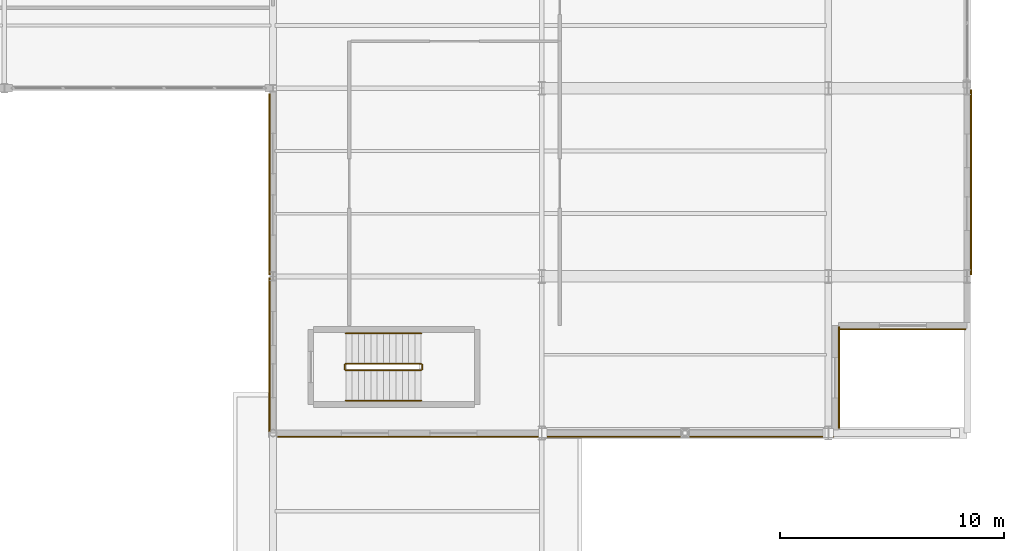
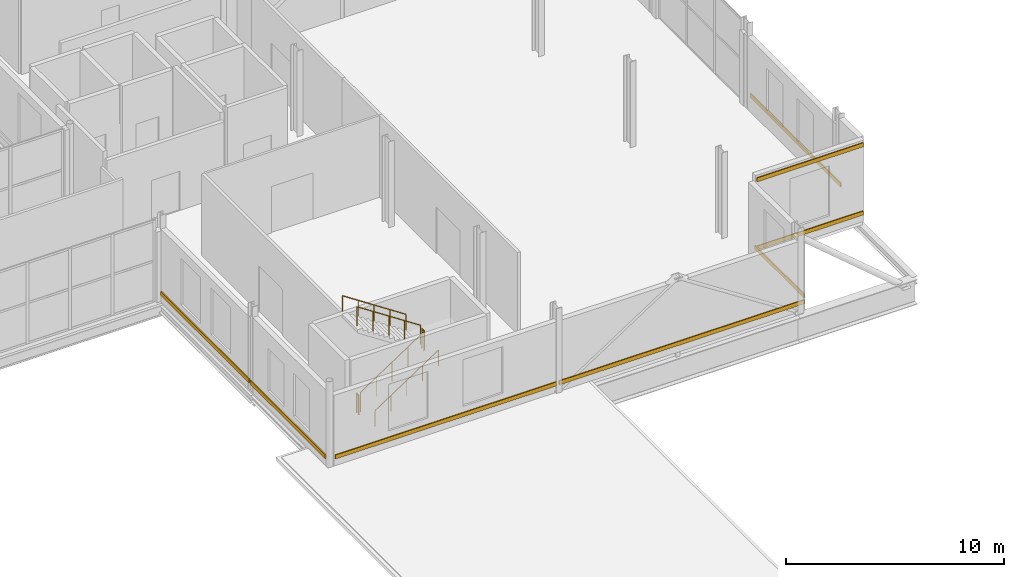
# One storey, part 117 of 120: 8 coverings, 6 railings.
"""IFC4 building model written with IfcOpenShell, lengths in metres."""

from ifc_helpers import new_model, si_unit, direction, frame, origin, origin_2d, place, context, subcontext, project, spatial, rectangle, circle, extrude, material, layer, layer_set, type_object, element, save


model = new_model("IFC4")

# Units and contexts
model_context = context("Model", 3, precision=1e-05, world=origin(), true_north=direction((0.0, 1.0)))
body_context = subcontext(model_context, "Body", "Model", "MODEL_VIEW")
ifc_project = project(units=[si_unit("LENGTHUNIT", "METRE"), si_unit("AREAUNIT", "SQUARE_METRE"), si_unit("VOLUMEUNIT", "CUBIC_METRE"), si_unit("PLANEANGLEUNIT", "RADIAN"), si_unit("MASSUNIT", "GRAM", prefix="KILO")], contexts=[model_context])

# Site, building, storey
site_placement = place(None, origin())
site = spatial("IfcSite", under=ifc_project, at=site_placement, CompositionType="ELEMENT")
building_placement = place(site_placement, origin())
building = spatial("IfcBuilding", under=site, at=building_placement, Name="Vekula Escarpment Museum", CompositionType="ELEMENT")
storey_placement = place(building_placement, frame((0.0, 0.0, 13.199951171875)))
storey = spatial("IfcBuildingStorey", under=building, at=storey_placement, Name="L03", CompositionType="ELEMENT", Elevation=13.199951171875)

# Coverings
ifc_material_1 = material(Name="Polychrome limestone almasik string-course band", Category="masonry")
ifc_layer = layer(ifc_material_1, 0.06005859375)
ifc_layer_set = layer_set([ifc_layer], Name="Polychrome limestone almasik string-course band")
covering_type = type_object("IfcCoveringType", Name="COV-ALM-BAND", PredefinedType="CLADDING", material=ifc_layer_set)
covering_1_placement = place(storey_placement, frame((166.833984375, 63.71044921875, 0.41015625), z_axis=(0.0, 0.0, 1.0), x_axis=(0.0, 1.0, 0.0)))
element("IfcCovering", 1, at=covering_1_placement, inside=storey, type_object=covering_type, Name="Almasik Stone String Course L03-0509", PredefinedType="CLADDING", context=body_context, shape_type="SweptSolid", body=[
    extrude(rectangle(XDim=8.10107421875, YDim=0.06005859375, at=origin_2d()), origin(), (0.0, 0.0, 1.0), 0.219970703125),
])
covering_2_placement = place(storey_placement, frame((166.833984375, 56.10009765625, 0.41015625), z_axis=(0.0, 0.0, 1.0), x_axis=(0.0, 1.0, 0.0)))
element("IfcCovering", 2, at=covering_2_placement, inside=storey, type_object=covering_type, Name="Almasik Stone String Course L03-0510", PredefinedType="CLADDING", context=body_context, shape_type="SweptSolid", body=[
    extrude(rectangle(XDim=6.8798828125, YDim=0.06005859375, at=origin_2d()), origin(), (0.0, 0.0, 1.0), 0.219970703125),
])
covering_3_placement = place(storey_placement, frame((173.072021484375, 52.43408203125, 0.41015625), z_axis=(0.0, 0.0, 1.0), x_axis=(1.0, 0.0, 0.0)))
element("IfcCovering", 3, at=covering_3_placement, inside=storey, type_object=covering_type, Name="Almasik Stone String Course L03-0511", PredefinedType="CLADDING", context=body_context, shape_type="SweptSolid", body=[
    extrude(rectangle(XDim=11.736083984375, YDim=0.06005859375, at=origin_2d()), origin(), (0.0, 0.0, 1.0), 0.219970703125),
])
covering_4_placement = place(storey_placement, frame((185.554931640625, 52.43408203125, 0.41015625), z_axis=(0.0, 0.0, 1.0), x_axis=(1.0, 0.0, 0.0)))
element("IfcCovering", 4, at=covering_4_placement, inside=storey, type_object=covering_type, Name="Almasik Stone String Course L03-0512", PredefinedType="CLADDING", context=body_context, shape_type="SweptSolid", body=[
    extrude(rectangle(XDim=12.989990234375, YDim=0.06005859375, at=origin_2d()), origin(), (0.0, 0.0, 1.0), 0.219970703125),
])
covering_5_placement = place(storey_placement, frame((192.27587890625, 55.072021484375, 0.41015625), z_axis=(0.0, 0.0, 1.0), x_axis=(0.0, 1.0, 0.0)))
element("IfcCovering", 5, at=covering_5_placement, inside=storey, type_object=covering_type, Name="Almasik Stone String Course L03-0513", PredefinedType="CLADDING", context=body_context, shape_type="SweptSolid", body=[
    extrude(rectangle(XDim=4.535888671875, YDim=0.06005859375, at=origin_2d()), origin(), (0.0, 0.0, 1.0), 0.219970703125),
])
for number, where, z_axis, x_axis, name in (
    (6, (195.126953125, 57.23388671875, 0.41015625), (0.0, 0.0, 1.0), (1.0, 0.0, 0.0), "Almasik Stone String Course L03-0514"),
    (7, (195.126953125, 57.23388671875, 4.22998046875), (0.0, 0.0, 1.0), (1.0, 0.0, 0.0), "Almasik Stone String Course L03-0515"),
):
    element("IfcCovering", number, at=place(storey_placement, frame(where, z_axis=z_axis, x_axis=x_axis)), inside=storey, type_object=covering_type, Name=name, PredefinedType="CLADDING", context=body_context, shape_type="SweptSolid", body=[
        extrude(rectangle(XDim=5.6259765625, YDim=0.06005859375, at=origin_2d()), origin(), (0.0, 0.0, 1.0), 0.219970703125),
    ])
covering_6_placement = place(storey_placement, frame((198.166015625, 63.800048828125, 0.41015625), z_axis=(0.0, 0.0, 1.0), x_axis=(0.0, 1.0, 0.0)))
element("IfcCovering", 8, at=covering_6_placement, inside=storey, type_object=covering_type, Name="Almasik Stone String Course L03-0516", PredefinedType="CLADDING", context=body_context, shape_type="SweptSolid", body=[
    extrude(rectangle(XDim=8.280029296875, YDim=0.06005859375, at=origin_2d()), origin(), (0.0, 0.0, 1.0), 0.219970703125),
])

# Railings
ifc_material_2 = material(Name="Painted Steel S355 stair guard", Category="steel")
railing_type_1 = type_object("IfcRailingType", Name="RL-STAIR-GUARD", PredefinedType="GUARDRAIL", material=ifc_material_2)
railing_1_placement = place(storey_placement, frame((170.25, 55.39990234375, 0.1845703125)))
element("IfcRailing", 9, at=railing_1_placement, inside=storey, type_object=railing_type_1, Name="L03 ST-02 stair guard 1", PredefinedType="GUARDRAIL", context=body_context, shape_type="SweptSolid", body=[
    extrude(circle(Radius=0.02392578125, at=origin_2d()), frame((0.0, 0.0, 1.076171875), z_axis=(0.834848600103, 0.0, 0.550479622607), x_axis=(0.0, 1.0, 0.0)), (0.0, 0.0, 1.0), 4.02490234375),
    extrude(circle(Radius=0.02099609375, at=origin_2d()), origin(), (0.0, 0.0, 1.0), 1.052001953125),
    extrude(circle(Radius=0.02099609375, at=origin_2d()), frame((0.840087890625, 0.0, 0.553955078125)), (0.0, 0.0, 1.0), 1.052001953125),
    extrude(circle(Radius=0.02099609375, at=origin_2d()), frame((1.68017578125, 0.0, 1.10791015625)), (0.0, 0.0, 1.0), 1.052001953125),
    extrude(circle(Radius=0.02099609375, at=origin_2d()), frame((2.52001953125, 0.0, 1.66162109375)), (0.0, 0.0, 1.0), 1.052001953125),
    extrude(circle(Radius=0.02099609375, at=origin_2d()), frame((3.360107421875, 0.0, 2.215576171875)), (0.0, 0.0, 1.0), 1.052001953125),
])
railing_2_placement = place(storey_placement, frame((173.659912109375, 55.449951171875, 2.400146484375)))
element("IfcRailing", 10, at=railing_2_placement, inside=storey, type_object=railing_type_1, Name="L03 ST-02 stair guard 2", PredefinedType="GUARDRAIL", context=body_context, shape_type="SweptSolid", body=[
    extrude(circle(Radius=0.02392578125, at=origin_2d()), frame((0.0, 0.0, 1.076171875), z_axis=(0.0, 1.0, 0.0), x_axis=(-1.0, 0.0, 0.0)), (0.0, 0.0, 1.0), 0.199951171875),
    extrude(circle(Radius=0.02099609375, at=origin_2d()), origin(), (0.0, 0.0, 1.0), 1.052001953125),
    extrude(circle(Radius=0.02099609375, at=origin_2d()), frame((0.0, 0.199951171875, 0.0)), (0.0, 0.0, 1.0), 1.052001953125),
])
railing_3_placement = place(storey_placement, frame((173.610107421875, 55.699951171875, 2.584716796875)))
element("IfcRailing", 11, at=railing_3_placement, inside=storey, type_object=railing_type_1, Name="L03 ST-02 stair guard 3", PredefinedType="GUARDRAIL", context=body_context, shape_type="SweptSolid", body=[
    extrude(circle(Radius=0.02392578125, at=origin_2d()), frame((0.0, 0.0, 1.076171875), z_axis=(-0.834876476806, 0.0, 0.550437342915), x_axis=(0.0, -1.0, 0.0)), (0.0, 0.0, 1.0), 4.024658203125),
    extrude(circle(Radius=0.02099609375, at=origin_2d()), origin(), (0.0, 0.0, 1.0), 1.052001953125),
    extrude(circle(Radius=0.02099609375, at=origin_2d()), frame((-0.840087890625, 0.0, 0.5537109375)), (0.0, 0.0, 1.0), 1.052001953125),
    extrude(circle(Radius=0.02099609375, at=origin_2d()), frame((-1.68017578125, 0.0, 1.107666015625)), (0.0, 0.0, 1.0), 1.052001953125),
    extrude(circle(Radius=0.02099609375, at=origin_2d()), frame((-2.52001953125, 0.0, 1.66162109375)), (0.0, 0.0, 1.0), 1.052001953125),
    extrude(circle(Radius=0.02099609375, at=origin_2d()), frame((-3.360107421875, 0.0, 2.21533203125)), (0.0, 0.0, 1.0), 1.052001953125),
])
railing_4_placement = place(storey_placement, frame((170.199951171875, 55.449951171875, 0.0)))
element("IfcRailing", 12, at=railing_4_placement, inside=storey, type_object=railing_type_1, Name="L03 ST-02 stair guard 4", PredefinedType="GUARDRAIL", context=body_context, shape_type="SweptSolid", body=[
    extrude(circle(Radius=0.02392578125, at=origin_2d()), frame((0.0, 0.0, 1.076171875), z_axis=(0.0, 1.0, 0.0), x_axis=(-1.0, 0.0, 0.0)), (0.0, 0.0, 1.0), 0.199951171875),
    extrude(circle(Radius=0.02099609375, at=origin_2d()), origin(), (0.0, 0.0, 1.0), 1.052001953125),
    extrude(circle(Radius=0.02099609375, at=origin_2d()), frame((0.0, 0.199951171875, 0.0)), (0.0, 0.0, 1.0), 1.052001953125),
])
ifc_material_3 = material(Name="Brushed stainless steel handrail", Category="steel")
railing_type_2 = type_object("IfcRailingType", Name="RL-STAIR-HAND", PredefinedType="HANDRAIL", material=ifc_material_3)
railing_5_placement = place(storey_placement, frame((170.25, 54.050048828125, 0.1845703125)))
element("IfcRailing", 13, at=railing_5_placement, inside=storey, type_object=railing_type_2, Name="L03 ST-02 stair handrail 1", PredefinedType="HANDRAIL", context=body_context, shape_type="SweptSolid", body=[
    extrude(circle(Radius=0.02392578125, at=origin_2d()), frame((0.0, 0.0, 0.8759765625), z_axis=(0.834848600103, 0.0, 0.550479622607), x_axis=(0.0, 1.0, 0.0)), (0.0, 0.0, 1.0), 4.02490234375),
    extrude(circle(Radius=0.02099609375, at=origin_2d()), origin(), (0.0, 0.0, 1.0), 0.851806640625),
    extrude(circle(Radius=0.02099609375, at=origin_2d()), frame((0.840087890625, 0.0, 0.553955078125)), (0.0, 0.0, 1.0), 0.851806640625),
    extrude(circle(Radius=0.02099609375, at=origin_2d()), frame((1.68017578125, 0.0, 1.10791015625)), (0.0, 0.0, 1.0), 0.851806640625),
    extrude(circle(Radius=0.02099609375, at=origin_2d()), frame((2.52001953125, 0.0, 1.66162109375)), (0.0, 0.0, 1.0), 0.851806640625),
    extrude(circle(Radius=0.02099609375, at=origin_2d()), frame((3.360107421875, 0.0, 2.215576171875)), (0.0, 0.0, 1.0), 0.851806640625),
])
railing_6_placement = place(storey_placement, frame((173.610107421875, 57.050048828125, 2.584716796875)))
element("IfcRailing", 14, at=railing_6_placement, inside=storey, type_object=railing_type_2, Name="L03 ST-02 stair handrail 2", PredefinedType="HANDRAIL", context=body_context, shape_type="SweptSolid", body=[
    extrude(circle(Radius=0.02392578125, at=origin_2d()), frame((0.0, 0.0, 0.8759765625), z_axis=(-0.834876476806, 0.0, 0.550437342915), x_axis=(0.0, -1.0, 0.0)), (0.0, 0.0, 1.0), 4.024658203125),
    extrude(circle(Radius=0.02099609375, at=origin_2d()), origin(), (0.0, 0.0, 1.0), 0.851806640625),
    extrude(circle(Radius=0.02099609375, at=origin_2d()), frame((-0.840087890625, 0.0, 0.5537109375)), (0.0, 0.0, 1.0), 0.851806640625),
    extrude(circle(Radius=0.02099609375, at=origin_2d()), frame((-1.68017578125, 0.0, 1.107666015625)), (0.0, 0.0, 1.0), 0.851806640625),
    extrude(circle(Radius=0.02099609375, at=origin_2d()), frame((-2.52001953125, 0.0, 1.66162109375)), (0.0, 0.0, 1.0), 0.851806640625),
    extrude(circle(Radius=0.02099609375, at=origin_2d()), frame((-3.360107421875, 0.0, 2.21533203125)), (0.0, 0.0, 1.0), 0.851806640625),
])

save(model, "model.ifc")
